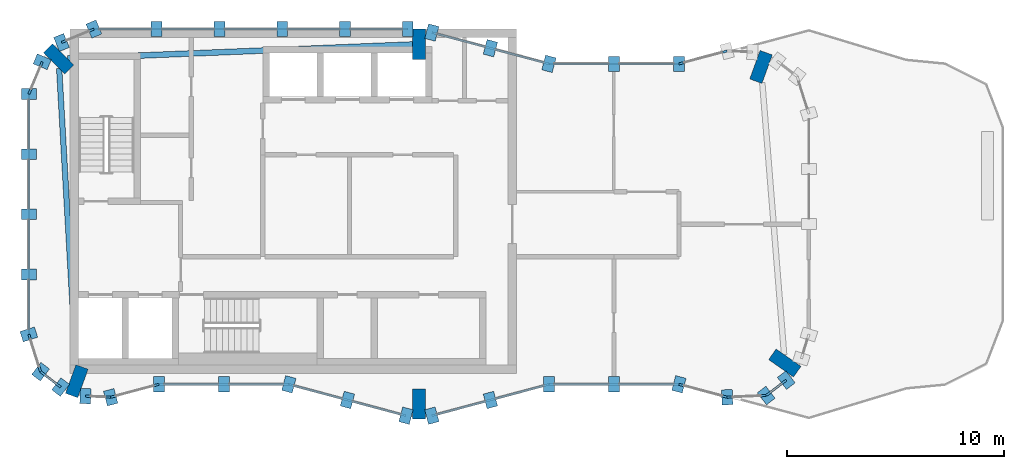
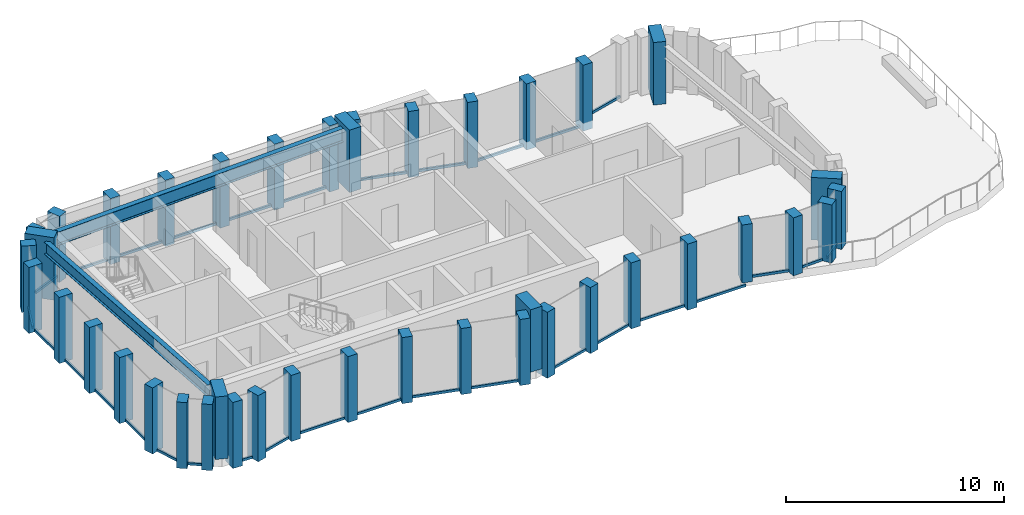
# One storey, part 1 of 5: 53 members, 6 columns, 2 beams, 18 elements without a shape of their own.
"""IFC4 building model written with IfcOpenShell, lengths in metres."""

from ifc_helpers import new_model, si_unit, direction, frame, origin, origin_2d, place, context, subcontext, project, spatial, rectangle, i_section, extrude, material, layer, layer_set, material_profile, profile_set, type_object, element, aggregate, save


model = new_model("IFC4")

# Units and contexts
model_context = context("Model", 3, precision=1e-05, world=origin(), true_north=direction((0.0, 1.0)))
body_context = subcontext(model_context, "Body", "Model", "MODEL_VIEW")
ifc_project = project(units=[si_unit("LENGTHUNIT", "METRE"), si_unit("AREAUNIT", "SQUARE_METRE"), si_unit("VOLUMEUNIT", "CUBIC_METRE"), si_unit("PLANEANGLEUNIT", "RADIAN"), si_unit("MASSUNIT", "GRAM", prefix="KILO")], contexts=[model_context])

# Site, building, storey
site_placement = place(None, origin())
site = spatial("IfcSite", under=ifc_project, at=site_placement, CompositionType="ELEMENT")
building_placement = place(site_placement, origin())
building = spatial("IfcBuilding", under=site, at=building_placement, Name="Plateau Cross Towers", CompositionType="ELEMENT")
storey_placement = place(building_placement, frame((0.0, 0.0, 294.89990234375)))
storey = spatial("IfcBuildingStorey", under=building, at=storey_placement, Name="L78 Crown 2", CompositionType="ELEMENT", Elevation=294.89990234375)

# Columns
ifc_material_1 = material(Name="Concrete C60/75", Category="concrete")
ifc_material_profile_1 = material_profile(ifc_material_1, rectangle(XDim=0.60009765625, YDim=1.39990234375, at=origin_2d()), Name="RC 600x1400")
ifc_profile_set_1 = profile_set([ifc_material_profile_1], Name="Concrete C60/75")
column_type = type_object("IfcColumnType", Name="Fin pier column RC 600x1400", PredefinedType="COLUMN", material=ifc_profile_set_1)
for number, where, z_axis, x_axis, name in (
    (1, (18.0, 0.699951171875, 0.0), (0.0, 0.0, 1.0), (1.0, 0.0, 0.0), "PR1 L78 Crown 2"),
    (2, (34.884033203125, 2.590087890625, 0.0), (0.0, 0.0, 1.0), (0.573542637991, 0.819175709117, 0.0), "PR17 L78 Crown 2"),
    (3, (33.786865234375, 16.251953125, 0.0), (0.0, 0.0, 1.0), (-0.939664280925, 0.342097996418, 0.0), "PR18 L78 Crown 2"),
    (4, (18.0, 17.300048828125, 0.0), (0.0, 0.0, 1.0), (1.0, 0.0, 0.0), "PR13 L78 Crown 2"),
    (5, (1.37353515625, 16.62646484375, 0.0), (0.0, 0.0, 1.0), (0.707106781187, 0.707106781187, 0.0), "PR14 L78 Crown 2"),
    (6, (2.213134765625, 1.748046875, 0.0), (0.0, 0.0, 1.0), (-0.939664280925, 0.342097996418, 0.0), "PR12 L78 Crown 2"),
):
    element("IfcColumn", number, at=place(storey_placement, frame(where, z_axis=z_axis, x_axis=x_axis)), inside=storey, type_object=column_type, Name=name, PredefinedType="COLUMN", context=body_context, shape_type="SweptSolid", body=[
        extrude(rectangle(XDim=0.60009765625, YDim=1.39990234375, at=origin_2d()), origin(), (0.0, 0.0, 1.0), 3.5),
    ])

# Beams
ifc_material_2 = material(Name="Steel S355", Category="steel")
ifc_material_profile_2 = material_profile(ifc_material_2, i_section(OverallWidth=0.2529296875, OverallDepth=0.677978515625, WebThickness=0.01171875, FlangeThickness=0.01611328125, FilletRadius=0.01513671875, at=origin_2d()), Name="UB 686x254x125")
ifc_profile_set_2 = profile_set([ifc_material_profile_2], Name="Steel S355")
beam_type_1 = type_object("IfcBeamType", Name="Crown ring beam UB 686x254x125", PredefinedType="BEAM", material=ifc_profile_set_2)
beam_1_placement = place(storey_placement, frame((1.39892578125, 16.1767578125, 2.9111328125), z_axis=(0.056348976318, -0.998411134187, 0.0), x_axis=(0.998411134187, 0.056348976318, 0.0)))
element("IfcBeam", 7, at=beam_1_placement, inside=storey, type_object=beam_type_1, Name="CRB-L78 Crown 2-05", PredefinedType="BEAM", context=body_context, shape_type="SweptSolid", body=[
    extrude(i_section(OverallWidth=0.2529296875, OverallDepth=0.677978515625, WebThickness=0.01171875, FlangeThickness=0.01611328125, FilletRadius=0.01513671875, at=origin_2d()), origin(), (0.0, 0.0, 1.0), 13.691162109375),
])
ifc_material_profile_3 = material_profile(ifc_material_2, i_section(OverallWidth=0.26513671875, OverallDepth=0.75390625, WebThickness=0.0126953125, FlangeThickness=0.017578125, FilletRadius=0.0166015625, at=origin_2d()), Name="UB 762x267x147")
ifc_profile_set_3 = profile_set([ifc_material_profile_3], Name="Steel S355")
beam_type_2 = type_object("IfcBeamType", Name="Crown ring beam UB 762x267x147", PredefinedType="BEAM", material=ifc_profile_set_3)
beam_2_placement = place(storey_placement, frame((17.699951171875, 17.287841796875, 2.873046875), z_axis=(-0.999180065047, -0.040487005488, 0.0), x_axis=(0.040487005488, -0.999180065047, 0.0)))
element("IfcBeam", 8, at=beam_2_placement, inside=storey, type_object=beam_type_2, Name="CRB-L78 Crown 2-04", PredefinedType="BEAM", context=body_context, shape_type="SweptSolid", body=[
    extrude(i_section(OverallWidth=0.26513671875, OverallDepth=0.75390625, WebThickness=0.0126953125, FlangeThickness=0.017578125, FilletRadius=0.0166015625, at=origin_2d()), origin(), (0.0, 0.0, 1.0), 15.931640625),
])

# Curtain wall, member
ifc_material_3 = material(Name="Dark low-iron glass", Category="glass")
ifc_layer = layer(ifc_material_3, 0.800048828125)
ifc_layer_set = layer_set([ifc_layer], Name="Dark low-iron glass")
curtain_wall_type = type_object("IfcCurtainWallType", Name="Curtain wall sky lounge CW-D", PredefinedType="NOTDEFINED", material=ifc_layer_set)
curtain_wall_1_placement = place(storey_placement, origin())
curtain_wall_1 = element("IfcCurtainWall", 9, at=curtain_wall_1_placement, inside=storey, type_object=curtain_wall_type, Name="ENV/A/L78 Crown 2/A38_10", PredefinedType="NOTDEFINED")
ifc_material_4 = material(Name="Black anodised aluminium", Category="aluminium")
ifc_material_profile_4 = material_profile(ifc_material_4, rectangle(XDim=0.5, YDim=0.699951171875, at=origin_2d()), Name="MULLION 500x700")
ifc_profile_set_4 = profile_set([ifc_material_profile_4], Name="Black anodised aluminium")
member_type_1 = type_object("IfcMemberType", Name="Mullion 500x700 sky lounge", PredefinedType="MULLION", material=ifc_profile_set_4)
member_1_placement = place(storey_placement, frame((3.776123046875, 1.01123046875, -0.449951171875), z_axis=(0.0, 0.0, 1.0), x_axis=(0.965957962328, 0.258699081978, 0.0)))
member_1 = element("IfcMember", 10, at=member_1_placement, type_object=member_type_1, Name="CW-D mullion 1", PredefinedType="MULLION", context=body_context, shape_type="SweptSolid", body=[
    extrude(rectangle(XDim=0.5, YDim=0.699951171875, at=origin_2d()), origin(), (0.0, 0.0, 1.0), 3.699951171875),
])

# Curtain wall, members
curtain_wall_2_placement = place(storey_placement, origin())
curtain_wall_2 = element("IfcCurtainWall", 11, at=curtain_wall_2_placement, inside=storey, type_object=curtain_wall_type, Name="ENV/A/L78 Crown 2/A60_16", PredefinedType="NOTDEFINED")
member_2_placement = place(storey_placement, frame((6.0, 1.60693359375, -0.449951171875), z_axis=(0.0, 0.0, 1.0), x_axis=(1.0, 0.0, 0.0)))
member_2 = element("IfcMember", 12, at=member_2_placement, type_object=member_type_1, Name="CW-D mullion 1", PredefinedType="MULLION", context=body_context, shape_type="SweptSolid", body=[
    extrude(rectangle(XDim=0.5, YDim=0.699951171875, at=origin_2d()), origin(), (0.0, 0.0, 1.0), 3.699951171875),
])
member_3_placement = place(storey_placement, frame((9.0, 1.60693359375, -0.449951171875), z_axis=(0.0, 0.0, 1.0), x_axis=(1.0, 0.0, 0.0)))
member_3 = element("IfcMember", 13, at=member_3_placement, type_object=member_type_1, Name="CW-D mullion 2", PredefinedType="MULLION", context=body_context, shape_type="SweptSolid", body=[
    extrude(rectangle(XDim=0.5, YDim=0.699951171875, at=origin_2d()), origin(), (0.0, 0.0, 1.0), 3.699951171875),
])

curtain_wall_3_placement = place(storey_placement, origin())
curtain_wall_3 = element("IfcCurtainWall", 14, at=curtain_wall_3_placement, inside=storey, type_object=curtain_wall_type, Name="ENV/A/L78 Crown 2/A120_16", PredefinedType="NOTDEFINED")
member_4_placement = place(storey_placement, frame((12.0, 1.60693359375, -0.449951171875), z_axis=(0.0, 0.0, 1.0), x_axis=(0.965957983404, -0.258699003279, 0.0)))
member_4 = element("IfcMember", 15, at=member_4_placement, type_object=member_type_1, Name="CW-D mullion 1", PredefinedType="MULLION", context=body_context, shape_type="SweptSolid", body=[
    extrude(rectangle(XDim=0.5, YDim=0.699951171875, at=origin_2d()), origin(), (0.0, 0.0, 1.0), 3.699951171875),
])
member_5_placement = place(storey_placement, frame((14.70166015625, 0.88330078125, -0.449951171875), z_axis=(0.0, 0.0, 1.0), x_axis=(0.965957983404, -0.258699003279, 0.0)))
member_5 = element("IfcMember", 16, at=member_5_placement, type_object=member_type_1, Name="CW-D mullion 2", PredefinedType="MULLION", context=body_context, shape_type="SweptSolid", body=[
    extrude(rectangle(XDim=0.5, YDim=0.699951171875, at=origin_2d()), origin(), (0.0, 0.0, 1.0), 3.699951171875),
])
member_6_placement = place(storey_placement, frame((17.403076171875, 0.159912109375, -0.449951171875), z_axis=(0.0, 0.0, 1.0), x_axis=(0.965957983404, -0.258699003279, 0.0)))
member_6 = element("IfcMember", 17, at=member_6_placement, type_object=member_type_1, Name="CW-D mullion 3", PredefinedType="MULLION", context=body_context, shape_type="SweptSolid", body=[
    extrude(rectangle(XDim=0.5, YDim=0.699951171875, at=origin_2d()), origin(), (0.0, 0.0, 1.0), 3.699951171875),
])

curtain_wall_4_placement = place(storey_placement, origin())
curtain_wall_4 = element("IfcCurtainWall", 18, at=curtain_wall_4_placement, inside=storey, type_object=curtain_wall_type, Name="ENV/A/L78 Crown 2/A186_2", PredefinedType="NOTDEFINED")
member_7_placement = place(storey_placement, frame((18.596923828125, 0.159912109375, -0.449951171875), z_axis=(0.0, 0.0, 1.0), x_axis=(0.965957983404, 0.258699003279, 0.0)))
member_7 = element("IfcMember", 19, at=member_7_placement, type_object=member_type_1, Name="CW-D mullion 1", PredefinedType="MULLION", context=body_context, shape_type="SweptSolid", body=[
    extrude(rectangle(XDim=0.5, YDim=0.699951171875, at=origin_2d()), origin(), (0.0, 0.0, 1.0), 3.699951171875),
])
member_8_placement = place(storey_placement, frame((21.29833984375, 0.88330078125, -0.449951171875), z_axis=(0.0, 0.0, 1.0), x_axis=(0.965957983404, 0.258699003279, 0.0)))
member_8 = element("IfcMember", 20, at=member_8_placement, type_object=member_type_1, Name="CW-D mullion 2", PredefinedType="MULLION", context=body_context, shape_type="SweptSolid", body=[
    extrude(rectangle(XDim=0.5, YDim=0.699951171875, at=origin_2d()), origin(), (0.0, 0.0, 1.0), 3.699951171875),
])

curtain_wall_5_placement = place(storey_placement, origin())
curtain_wall_5 = element("IfcCurtainWall", 21, at=curtain_wall_5_placement, inside=storey, type_object=curtain_wall_type, Name="ENV/A/L78 Crown 2/A240_16", PredefinedType="NOTDEFINED")
member_9_placement = place(storey_placement, frame((24.0, 1.60693359375, -0.449951171875), z_axis=(0.0, 0.0, 1.0), x_axis=(1.0, 0.0, 0.0)))
member_9 = element("IfcMember", 22, at=member_9_placement, type_object=member_type_1, Name="CW-D mullion 1", PredefinedType="MULLION", context=body_context, shape_type="SweptSolid", body=[
    extrude(rectangle(XDim=0.5, YDim=0.699951171875, at=origin_2d()), origin(), (0.0, 0.0, 1.0), 3.699951171875),
])
member_10_placement = place(storey_placement, frame((27.0, 1.60693359375, -0.449951171875), z_axis=(0.0, 0.0, 1.0), x_axis=(1.0, 0.0, 0.0)))
member_10 = element("IfcMember", 23, at=member_10_placement, type_object=member_type_1, Name="CW-D mullion 2", PredefinedType="MULLION", context=body_context, shape_type="SweptSolid", body=[
    extrude(rectangle(XDim=0.5, YDim=0.699951171875, at=origin_2d()), origin(), (0.0, 0.0, 1.0), 3.699951171875),
])

# Curtain wall, member
curtain_wall_6_placement = place(storey_placement, origin())
curtain_wall_6 = element("IfcCurtainWall", 24, at=curtain_wall_6_placement, inside=storey, type_object=curtain_wall_type, Name="ENV/A/L78 Crown 2/A300_16", PredefinedType="NOTDEFINED")
member_11_placement = place(storey_placement, frame((30.0, 1.60693359375, 0.0), z_axis=(0.0, 0.0, 1.0), x_axis=(0.965957962328, -0.258699081978, 0.0)))
member_11 = element("IfcMember", 25, at=member_11_placement, type_object=member_type_1, Name="CW-D mullion 1", PredefinedType="MULLION", context=body_context, shape_type="SweptSolid", body=[
    extrude(rectangle(XDim=0.5, YDim=0.699951171875, at=origin_2d()), origin(), (0.0, 0.0, 1.0), 3.25),
])

curtain_wall_7_placement = place(storey_placement, origin())
curtain_wall_7 = element("IfcCurtainWall", 26, at=curtain_wall_7_placement, inside=storey, type_object=curtain_wall_type, Name="ENV/A/L78 Crown 2/A322_10", PredefinedType="NOTDEFINED")
member_12_placement = place(storey_placement, frame((32.223876953125, 1.01123046875, 0.0), z_axis=(0.0, 0.0, 1.0), x_axis=(0.999043701491, 0.043722791671, 0.0)))
member_12 = element("IfcMember", 27, at=member_12_placement, type_object=member_type_1, Name="CW-D mullion 1", PredefinedType="MULLION", context=body_context, shape_type="SweptSolid", body=[
    extrude(rectangle(XDim=0.5, YDim=0.699951171875, at=origin_2d()), origin(), (0.0, 0.0, 1.0), 3.25),
])

# Curtain wall, members
curtain_wall_8_placement = place(storey_placement, origin())
curtain_wall_8 = element("IfcCurtainWall", 28, at=curtain_wall_8_placement, inside=storey, type_object=curtain_wall_type, Name="ENV/A/L78 Crown 2/A340_11", PredefinedType="NOTDEFINED")
member_13_placement = place(storey_placement, frame((34.0263671875, 1.090087890625, 0.0), z_axis=(0.0, 0.0, 1.0), x_axis=(0.793315514529, 0.608810721331, 0.0)))
member_13 = element("IfcMember", 29, at=member_13_placement, type_object=member_type_1, Name="CW-D mullion 1", PredefinedType="MULLION", context=body_context, shape_type="SweptSolid", body=[
    extrude(rectangle(XDim=0.5, YDim=0.699951171875, at=origin_2d()), origin(), (0.0, 0.0, 1.0), 3.25),
])
member_14_placement = place(storey_placement, frame((34.951416015625, 1.800048828125, 0.0), z_axis=(0.0, 0.0, 1.0), x_axis=(0.793315514529, 0.608810721331, 0.0)))
member_14 = element("IfcMember", 30, at=member_14_placement, type_object=member_type_1, Name="CW-D mullion 2", PredefinedType="MULLION", context=body_context, shape_type="SweptSolid", body=[
    extrude(rectangle(XDim=0.5, YDim=0.699951171875, at=origin_2d()), origin(), (0.0, 0.0, 1.0), 3.25),
])

curtain_wall_9_placement = place(storey_placement, origin())
curtain_wall_9 = element("IfcCurtainWall", 31, at=curtain_wall_9_placement, inside=storey, type_object=curtain_wall_type, Name="ENV/A/L78 Crown 2/A300_164", PredefinedType="NOTDEFINED")
member_15_placement = place(storey_placement, frame((30.0, 16.39306640625, -0.449951171875), z_axis=(0.0, 0.0, 1.0), x_axis=(-1.0, 0.0, 0.0)))
member_15 = element("IfcMember", 32, at=member_15_placement, type_object=member_type_1, Name="CW-D mullion 1", PredefinedType="MULLION", context=body_context, shape_type="SweptSolid", body=[
    extrude(rectangle(XDim=0.5, YDim=0.699951171875, at=origin_2d()), origin(), (0.0, 0.0, 1.0), 3.699951171875),
])
member_16_placement = place(storey_placement, frame((27.0, 16.39306640625, -0.449951171875), z_axis=(0.0, 0.0, 1.0), x_axis=(-1.0, 0.0, 0.0)))
member_16 = element("IfcMember", 33, at=member_16_placement, type_object=member_type_1, Name="CW-D mullion 2", PredefinedType="MULLION", context=body_context, shape_type="SweptSolid", body=[
    extrude(rectangle(XDim=0.5, YDim=0.699951171875, at=origin_2d()), origin(), (0.0, 0.0, 1.0), 3.699951171875),
])

curtain_wall_10_placement = place(storey_placement, origin())
curtain_wall_10 = element("IfcCurtainWall", 34, at=curtain_wall_10_placement, inside=storey, type_object=curtain_wall_type, Name="ENV/A/L78 Crown 2/A240_164", PredefinedType="NOTDEFINED")
member_17_placement = place(storey_placement, frame((24.0, 16.39306640625, -0.449951171875), z_axis=(0.0, 0.0, 1.0), x_axis=(-0.965957983404, 0.258699003279, 0.0)))
member_17 = element("IfcMember", 35, at=member_17_placement, type_object=member_type_1, Name="CW-D mullion 1", PredefinedType="MULLION", context=body_context, shape_type="SweptSolid", body=[
    extrude(rectangle(XDim=0.5, YDim=0.699951171875, at=origin_2d()), origin(), (0.0, 0.0, 1.0), 3.699951171875),
])
member_18_placement = place(storey_placement, frame((21.29833984375, 17.11669921875, -0.449951171875), z_axis=(0.0, 0.0, 1.0), x_axis=(-0.965957983404, 0.258699003279, 0.0)))
member_18 = element("IfcMember", 36, at=member_18_placement, type_object=member_type_1, Name="CW-D mullion 2", PredefinedType="MULLION", context=body_context, shape_type="SweptSolid", body=[
    extrude(rectangle(XDim=0.5, YDim=0.699951171875, at=origin_2d()), origin(), (0.0, 0.0, 1.0), 3.699951171875),
])
member_19_placement = place(storey_placement, frame((18.596923828125, 17.840087890625, -0.449951171875), z_axis=(0.0, 0.0, 1.0), x_axis=(-0.965957983404, 0.258699003279, 0.0)))
member_19 = element("IfcMember", 37, at=member_19_placement, type_object=member_type_1, Name="CW-D mullion 3", PredefinedType="MULLION", context=body_context, shape_type="SweptSolid", body=[
    extrude(rectangle(XDim=0.5, YDim=0.699951171875, at=origin_2d()), origin(), (0.0, 0.0, 1.0), 3.699951171875),
])

curtain_wall_11_placement = place(storey_placement, origin())
curtain_wall_11 = element("IfcCurtainWall", 38, at=curtain_wall_11_placement, inside=storey, type_object=curtain_wall_type, Name="ENV/A/L78 Crown 2/A175_180", PredefinedType="NOTDEFINED")
member_20_placement = place(storey_placement, frame((17.485107421875, 18.0, -0.449951171875), z_axis=(0.0, 0.0, 1.0), x_axis=(-1.0, 0.0, 0.0)))
member_20 = element("IfcMember", 39, at=member_20_placement, type_object=member_type_1, Name="CW-D mullion 1", PredefinedType="MULLION", context=body_context, shape_type="SweptSolid", body=[
    extrude(rectangle(XDim=0.5, YDim=0.699951171875, at=origin_2d()), origin(), (0.0, 0.0, 1.0), 3.699951171875),
])
member_21_placement = place(storey_placement, frame((14.587890625, 18.0, -0.449951171875), z_axis=(0.0, 0.0, 1.0), x_axis=(-1.0, 0.0, 0.0)))
member_21 = element("IfcMember", 40, at=member_21_placement, type_object=member_type_1, Name="CW-D mullion 2", PredefinedType="MULLION", context=body_context, shape_type="SweptSolid", body=[
    extrude(rectangle(XDim=0.5, YDim=0.699951171875, at=origin_2d()), origin(), (0.0, 0.0, 1.0), 3.699951171875),
])
member_22_placement = place(storey_placement, frame((11.69091796875, 18.0, -0.449951171875), z_axis=(0.0, 0.0, 1.0), x_axis=(-1.0, 0.0, 0.0)))
member_22 = element("IfcMember", 41, at=member_22_placement, type_object=member_type_1, Name="CW-D mullion 3", PredefinedType="MULLION", context=body_context, shape_type="SweptSolid", body=[
    extrude(rectangle(XDim=0.5, YDim=0.699951171875, at=origin_2d()), origin(), (0.0, 0.0, 1.0), 3.699951171875),
])
member_23_placement = place(storey_placement, frame((8.7939453125, 18.0, -0.449951171875), z_axis=(0.0, 0.0, 1.0), x_axis=(-1.0, 0.0, 0.0)))
member_23 = element("IfcMember", 42, at=member_23_placement, type_object=member_type_1, Name="CW-D mullion 4", PredefinedType="MULLION", context=body_context, shape_type="SweptSolid", body=[
    extrude(rectangle(XDim=0.5, YDim=0.699951171875, at=origin_2d()), origin(), (0.0, 0.0, 1.0), 3.699951171875),
])
member_24_placement = place(storey_placement, frame((5.89697265625, 18.0, -0.449951171875), z_axis=(0.0, 0.0, 1.0), x_axis=(-1.0, 0.0, 0.0)))
member_24 = element("IfcMember", 43, at=member_24_placement, type_object=member_type_1, Name="CW-D mullion 5", PredefinedType="MULLION", context=body_context, shape_type="SweptSolid", body=[
    extrude(rectangle(XDim=0.5, YDim=0.699951171875, at=origin_2d()), origin(), (0.0, 0.0, 1.0), 3.699951171875),
])

curtain_wall_12_placement = place(storey_placement, origin())
curtain_wall_12 = element("IfcCurtainWall", 44, at=curtain_wall_12_placement, inside=storey, type_object=curtain_wall_type, Name="ENV/A/L78 Crown 2/A30_180", PredefinedType="NOTDEFINED")
member_25_placement = place(storey_placement, frame((3.0, 18.0, -0.449951171875), z_axis=(0.0, 0.0, 1.0), x_axis=(-0.923879457699, -0.382683612978, 0.0)))
member_25 = element("IfcMember", 45, at=member_25_placement, type_object=member_type_1, Name="CW-D mullion 1", PredefinedType="MULLION", context=body_context, shape_type="SweptSolid", body=[
    extrude(rectangle(XDim=0.5, YDim=0.699951171875, at=origin_2d()), origin(), (0.0, 0.0, 1.0), 3.699951171875),
])
member_26_placement = place(storey_placement, frame((1.50830078125, 17.382080078125, -0.449951171875), z_axis=(0.0, 0.0, 1.0), x_axis=(-0.923879457699, -0.382683612978, 0.0)))
member_26 = element("IfcMember", 46, at=member_26_placement, type_object=member_type_1, Name="CW-D mullion 2", PredefinedType="MULLION", context=body_context, shape_type="SweptSolid", body=[
    extrude(rectangle(XDim=0.5, YDim=0.699951171875, at=origin_2d()), origin(), (0.0, 0.0, 1.0), 3.699951171875),
])

# Curtain wall, member
curtain_wall_13_placement = place(storey_placement, origin())
curtain_wall_13 = element("IfcCurtainWall", 47, at=curtain_wall_13_placement, inside=storey, type_object=curtain_wall_type, Name="ENV/A/L78 Crown 2/A6_165", PredefinedType="NOTDEFINED")
member_27_placement = place(storey_placement, frame((0.617919921875, 16.49169921875, -0.449951171875), z_axis=(0.0, 0.0, 1.0), x_axis=(-0.382683612978, -0.923879457699, 0.0)))
member_27 = element("IfcMember", 48, at=member_27_placement, type_object=member_type_1, Name="CW-D mullion 1", PredefinedType="MULLION", context=body_context, shape_type="SweptSolid", body=[
    extrude(rectangle(XDim=0.5, YDim=0.699951171875, at=origin_2d()), origin(), (0.0, 0.0, 1.0), 3.699951171875),
])

# Curtain wall, members
curtain_wall_14_placement = place(storey_placement, origin())
curtain_wall_14 = element("IfcCurtainWall", 49, at=curtain_wall_14_placement, inside=storey, type_object=curtain_wall_type, Name="ENV/A/L78 Crown 2/A0_150", PredefinedType="NOTDEFINED")
member_28_placement = place(storey_placement, frame((0.0, 15.0, -0.449951171875), z_axis=(0.0, 0.0, 1.0), x_axis=(0.0, -1.0, 0.0)))
member_28 = element("IfcMember", 50, at=member_28_placement, type_object=member_type_1, Name="CW-D mullion 1", PredefinedType="MULLION", context=body_context, shape_type="SweptSolid", body=[
    extrude(rectangle(XDim=0.5, YDim=0.699951171875, at=origin_2d()), origin(), (0.0, 0.0, 1.0), 3.699951171875),
])
member_29_placement = place(storey_placement, frame((0.0, 12.227294921875, -0.449951171875), z_axis=(0.0, 0.0, 1.0), x_axis=(0.0, -1.0, 0.0)))
member_29 = element("IfcMember", 51, at=member_29_placement, type_object=member_type_1, Name="CW-D mullion 2", PredefinedType="MULLION", context=body_context, shape_type="SweptSolid", body=[
    extrude(rectangle(XDim=0.5, YDim=0.699951171875, at=origin_2d()), origin(), (0.0, 0.0, 1.0), 3.699951171875),
])
member_30_placement = place(storey_placement, frame((0.0, 9.45458984375, -0.449951171875), z_axis=(0.0, 0.0, 1.0), x_axis=(0.0, -1.0, 0.0)))
member_30 = element("IfcMember", 52, at=member_30_placement, type_object=member_type_1, Name="CW-D mullion 3", PredefinedType="MULLION", context=body_context, shape_type="SweptSolid", body=[
    extrude(rectangle(XDim=0.5, YDim=0.699951171875, at=origin_2d()), origin(), (0.0, 0.0, 1.0), 3.699951171875),
])
member_31_placement = place(storey_placement, frame((0.0, 6.681884765625, -0.449951171875), z_axis=(0.0, 0.0, 1.0), x_axis=(0.0, -1.0, 0.0)))
member_31 = element("IfcMember", 53, at=member_31_placement, type_object=member_type_1, Name="CW-D mullion 4", PredefinedType="MULLION", context=body_context, shape_type="SweptSolid", body=[
    extrude(rectangle(XDim=0.5, YDim=0.699951171875, at=origin_2d()), origin(), (0.0, 0.0, 1.0), 3.699951171875),
])

# Curtain wall, member
curtain_wall_15_placement = place(storey_placement, origin())
curtain_wall_15 = element("IfcCurtainWall", 54, at=curtain_wall_15_placement, inside=storey, type_object=curtain_wall_type, Name="ENV/A/L78 Crown 2/A0_39", PredefinedType="NOTDEFINED")
member_32_placement = place(storey_placement, frame((0.0, 3.9091796875, -0.449951171875), z_axis=(0.0, 0.0, 1.0), x_axis=(0.300686174994, -0.95372313811, 0.0)))
member_32 = element("IfcMember", 55, at=member_32_placement, type_object=member_type_1, Name="CW-D mullion 1", PredefinedType="MULLION", context=body_context, shape_type="SweptSolid", body=[
    extrude(rectangle(XDim=0.5, YDim=0.699951171875, at=origin_2d()), origin(), (0.0, 0.0, 1.0), 3.699951171875),
])

# Curtain wall, members
curtain_wall_16_placement = place(storey_placement, origin())
curtain_wall_16 = element("IfcCurtainWall", 56, at=curtain_wall_16_placement, inside=storey, type_object=curtain_wall_type, Name="ENV/A/L78 Crown 2/A5_22", PredefinedType="NOTDEFINED")
member_33_placement = place(storey_placement, frame((0.54248046875, 2.1884765625, -0.449951171875), z_axis=(0.0, 0.0, 1.0), x_axis=(0.793315514529, -0.608810721331, 0.0)))
member_33 = element("IfcMember", 57, at=member_33_placement, type_object=member_type_1, Name="CW-D mullion 1", PredefinedType="MULLION", context=body_context, shape_type="SweptSolid", body=[
    extrude(rectangle(XDim=0.5, YDim=0.699951171875, at=origin_2d()), origin(), (0.0, 0.0, 1.0), 3.699951171875),
])
member_34_placement = place(storey_placement, frame((1.467529296875, 1.478515625, -0.449951171875), z_axis=(0.0, 0.0, 1.0), x_axis=(0.793315514529, -0.608810721331, 0.0)))
member_34 = element("IfcMember", 58, at=member_34_placement, type_object=member_type_1, Name="CW-D mullion 2", PredefinedType="MULLION", context=body_context, shape_type="SweptSolid", body=[
    extrude(rectangle(XDim=0.5, YDim=0.699951171875, at=origin_2d()), origin(), (0.0, 0.0, 1.0), 3.699951171875),
])

# Curtain wall, member
curtain_wall_17_placement = place(storey_placement, origin())
curtain_wall_17 = element("IfcCurtainWall", 59, at=curtain_wall_17_placement, inside=storey, type_object=curtain_wall_type, Name="ENV/A/L78 Crown 2/A26_11", PredefinedType="NOTDEFINED")
member_35_placement = place(storey_placement, frame((2.611083984375, 1.062255859375, -0.449951171875), z_axis=(0.0, 0.0, 1.0), x_axis=(0.999043701491, -0.043722791671, 0.0)))
member_35 = element("IfcMember", 60, at=member_35_placement, type_object=member_type_1, Name="CW-D mullion 1", PredefinedType="MULLION", context=body_context, shape_type="SweptSolid", body=[
    extrude(rectangle(XDim=0.5, YDim=0.699951171875, at=origin_2d()), origin(), (0.0, 0.0, 1.0), 3.699951171875),
])

# Member
ifc_material_profile_5 = material_profile(ifc_material_4, rectangle(XDim=0.10009765625, YDim=0.139892578125, at=origin_2d()), Name="TRANSOM 100x140")
ifc_profile_set_5 = profile_set([ifc_material_profile_5], Name="Black anodised aluminium")
member_type_2 = type_object("IfcMemberType", Name="Transom 100x140 sky lounge", PredefinedType="USERDEFINED", material=ifc_profile_set_5)
member_36_placement = place(storey_placement, frame((3.776123046875, 1.01123046875, -0.3798828125), z_axis=(0.965945685136, 0.258744919501, 0.0), x_axis=(-0.258744919501, 0.965945685136, 0.0)))
member_36 = element("IfcMember", 61, at=member_36_placement, type_object=member_type_2, Name="CW-D transom", ObjectType="TRANSOM", PredefinedType="USERDEFINED", context=body_context, shape_type="SweptSolid", body=[
    extrude(rectangle(XDim=0.10009765625, YDim=0.139892578125, at=origin_2d()), origin(), (0.0, 0.0, 1.0), 2.30224609375),
])

aggregate(curtain_wall_1, [member_1, member_36])

member_37_placement = place(storey_placement, frame((6.0, 1.60693359375, -0.3798828125), z_axis=(1.0, 0.0, 0.0), x_axis=(0.0, 1.0, 0.0)))
member_37 = element("IfcMember", 62, at=member_37_placement, type_object=member_type_2, Name="CW-D transom", ObjectType="TRANSOM", PredefinedType="USERDEFINED", context=body_context, shape_type="SweptSolid", body=[
    extrude(rectangle(XDim=0.10009765625, YDim=0.139892578125, at=origin_2d()), origin(), (0.0, 0.0, 1.0), 6.0),
])

aggregate(curtain_wall_2, [member_2, member_3, member_37])

member_38_placement = place(storey_placement, frame((12.0, 1.60693359375, -0.3798828125), z_axis=(0.965958374924, -0.258697541375, 0.0), x_axis=(0.258697541375, 0.965958374924, 0.0)))
member_38 = element("IfcMember", 63, at=member_38_placement, type_object=member_type_2, Name="CW-D transom", ObjectType="TRANSOM", PredefinedType="USERDEFINED", context=body_context, shape_type="SweptSolid", body=[
    extrude(rectangle(XDim=0.10009765625, YDim=0.139892578125, at=origin_2d()), origin(), (0.0, 0.0, 1.0), 5.593505859375),
])

aggregate(curtain_wall_3, [member_4, member_5, member_6, member_38])

member_39_placement = place(storey_placement, frame((18.596923828125, 0.159912109375, -0.3798828125), z_axis=(0.965958374924, 0.258697541375, 0.0), x_axis=(-0.258697541375, 0.965958374924, 0.0)))
member_39 = element("IfcMember", 64, at=member_39_placement, type_object=member_type_2, Name="CW-D transom", ObjectType="TRANSOM", PredefinedType="USERDEFINED", context=body_context, shape_type="SweptSolid", body=[
    extrude(rectangle(XDim=0.10009765625, YDim=0.139892578125, at=origin_2d()), origin(), (0.0, 0.0, 1.0), 5.593505859375),
])

aggregate(curtain_wall_4, [member_7, member_8, member_39])

member_40_placement = place(storey_placement, frame((24.0, 1.60693359375, -0.3798828125), z_axis=(1.0, 0.0, 0.0), x_axis=(0.0, 1.0, 0.0)))
member_40 = element("IfcMember", 65, at=member_40_placement, type_object=member_type_2, Name="CW-D transom", ObjectType="TRANSOM", PredefinedType="USERDEFINED", context=body_context, shape_type="SweptSolid", body=[
    extrude(rectangle(XDim=0.10009765625, YDim=0.139892578125, at=origin_2d()), origin(), (0.0, 0.0, 1.0), 6.0),
])

aggregate(curtain_wall_5, [member_9, member_10, member_40])

member_41_placement = place(storey_placement, frame((30.0, 1.60693359375, 0.070068359375), z_axis=(0.965945685136, -0.258744919501, 0.0), x_axis=(0.258744919501, 0.965945685136, 0.0)))
member_41 = element("IfcMember", 66, at=member_41_placement, type_object=member_type_2, Name="CW-D transom", ObjectType="TRANSOM", PredefinedType="USERDEFINED", context=body_context, shape_type="SweptSolid", body=[
    extrude(rectangle(XDim=0.10009765625, YDim=0.139892578125, at=origin_2d()), origin(), (0.0, 0.0, 1.0), 2.30224609375),
])

aggregate(curtain_wall_6, [member_11, member_41])

member_42_placement = place(storey_placement, frame((32.223876953125, 1.01123046875, 0.070068359375), z_axis=(0.999044377355, 0.043707345779, 0.0), x_axis=(-0.043707345779, 0.999044377355, 0.0)))
member_42 = element("IfcMember", 67, at=member_42_placement, type_object=member_type_2, Name="CW-D transom", ObjectType="TRANSOM", PredefinedType="USERDEFINED", context=body_context, shape_type="SweptSolid", body=[
    extrude(rectangle(XDim=0.10009765625, YDim=0.139892578125, at=origin_2d()), origin(), (0.0, 0.0, 1.0), 1.80419921875),
])

aggregate(curtain_wall_7, [member_12, member_42])

member_43_placement = place(storey_placement, frame((34.0263671875, 1.090087890625, 0.070068359375), z_axis=(0.793292864311, 0.608840234736, 0.0), x_axis=(-0.608840234736, 0.793292864311, 0.0)))
member_43 = element("IfcMember", 68, at=member_43_placement, type_object=member_type_2, Name="CW-D transom", ObjectType="TRANSOM", PredefinedType="USERDEFINED", context=body_context, shape_type="SweptSolid", body=[
    extrude(rectangle(XDim=0.10009765625, YDim=0.139892578125, at=origin_2d()), origin(), (0.0, 0.0, 1.0), 1.166015625),
])

aggregate(curtain_wall_8, [member_13, member_14, member_43])

# Curtain wall, member
curtain_wall_18_placement = place(storey_placement, origin())
curtain_wall_18 = element("IfcCurtainWall", 69, at=curtain_wall_18_placement, inside=storey, type_object=curtain_wall_type, Name="ENV/A/L78 Crown 2/A322_170", PredefinedType="NOTDEFINED")
member_44_placement = place(storey_placement, frame((32.223876953125, 16.98876953125, 0.070068359375), z_axis=(-0.965945685136, -0.258744919501, 0.0), x_axis=(0.258744919501, -0.965945685136, 0.0)))
member_44 = element("IfcMember", 70, at=member_44_placement, type_object=member_type_2, Name="CW-D transom", ObjectType="TRANSOM", PredefinedType="USERDEFINED", context=body_context, shape_type="SweptSolid", body=[
    extrude(rectangle(XDim=0.10009765625, YDim=0.139892578125, at=origin_2d()), origin(), (0.0, 0.0, 1.0), 2.30224609375),
])
aggregate(curtain_wall_18, [member_44])

# Member
member_45_placement = place(storey_placement, frame((30.0, 16.39306640625, -0.3798828125), z_axis=(-1.0, 0.0, 0.0), x_axis=(0.0, -1.0, 0.0)))
member_45 = element("IfcMember", 71, at=member_45_placement, type_object=member_type_2, Name="CW-D transom", ObjectType="TRANSOM", PredefinedType="USERDEFINED", context=body_context, shape_type="SweptSolid", body=[
    extrude(rectangle(XDim=0.10009765625, YDim=0.139892578125, at=origin_2d()), origin(), (0.0, 0.0, 1.0), 6.0),
])

aggregate(curtain_wall_9, [member_15, member_16, member_45])

member_46_placement = place(storey_placement, frame((24.0, 16.39306640625, -0.3798828125), z_axis=(-0.965958374924, 0.258697541375, 0.0), x_axis=(-0.258697541375, -0.965958374924, 0.0)))
member_46 = element("IfcMember", 72, at=member_46_placement, type_object=member_type_2, Name="CW-D transom", ObjectType="TRANSOM", PredefinedType="USERDEFINED", context=body_context, shape_type="SweptSolid", body=[
    extrude(rectangle(XDim=0.10009765625, YDim=0.139892578125, at=origin_2d()), origin(), (0.0, 0.0, 1.0), 5.593505859375),
])

aggregate(curtain_wall_10, [member_17, member_18, member_19, member_46])

member_47_placement = place(storey_placement, frame((17.485107421875, 18.0, -0.3798828125), z_axis=(-1.0, 0.0, 0.0), x_axis=(0.0, -1.0, 0.0)))
member_47 = element("IfcMember", 73, at=member_47_placement, type_object=member_type_2, Name="CW-D transom", ObjectType="TRANSOM", PredefinedType="USERDEFINED", context=body_context, shape_type="SweptSolid", body=[
    extrude(rectangle(XDim=0.10009765625, YDim=0.139892578125, at=origin_2d()), origin(), (0.0, 0.0, 1.0), 14.485107421875),
])

aggregate(curtain_wall_11, [member_20, member_21, member_22, member_23, member_24, member_47])

member_48_placement = place(storey_placement, frame((3.0, 18.0, -0.3798828125), z_axis=(-0.923871238907, -0.382703454284, 0.0), x_axis=(0.382703454284, -0.923871238907, 0.0)))
member_48 = element("IfcMember", 74, at=member_48_placement, type_object=member_type_2, Name="CW-D transom", ObjectType="TRANSOM", PredefinedType="USERDEFINED", context=body_context, shape_type="SweptSolid", body=[
    extrude(rectangle(XDim=0.10009765625, YDim=0.139892578125, at=origin_2d()), origin(), (0.0, 0.0, 1.0), 1.614501953125),
])

aggregate(curtain_wall_12, [member_25, member_26, member_48])

member_49_placement = place(storey_placement, frame((0.617919921875, 16.49169921875, -0.3798828125), z_axis=(-0.382703454284, -0.923871238907, 0.0), x_axis=(0.923871238907, -0.382703454284, 0.0)))
member_49 = element("IfcMember", 75, at=member_49_placement, type_object=member_type_2, Name="CW-D transom", ObjectType="TRANSOM", PredefinedType="USERDEFINED", context=body_context, shape_type="SweptSolid", body=[
    extrude(rectangle(XDim=0.10009765625, YDim=0.139892578125, at=origin_2d()), origin(), (0.0, 0.0, 1.0), 1.614501953125),
])

aggregate(curtain_wall_13, [member_27, member_49])

member_50_placement = place(storey_placement, frame((0.0, 15.0, -0.3798828125), z_axis=(0.0, -1.0, 0.0), x_axis=(1.0, 0.0, 0.0)))
member_50 = element("IfcMember", 76, at=member_50_placement, type_object=member_type_2, Name="CW-D transom", ObjectType="TRANSOM", PredefinedType="USERDEFINED", context=body_context, shape_type="SweptSolid", body=[
    extrude(rectangle(XDim=0.10009765625, YDim=0.139892578125, at=origin_2d()), origin(), (0.0, 0.0, 1.0), 11.0908203125),
])

aggregate(curtain_wall_14, [member_28, member_29, member_30, member_31, member_50])

member_51_placement = place(storey_placement, frame((0.0, 3.9091796875, -0.3798828125), z_axis=(0.30067799945, -0.953725715626, 0.0), x_axis=(0.953725715626, 0.30067799945, 0.0)))
member_51 = element("IfcMember", 77, at=member_51_placement, type_object=member_type_2, Name="CW-D transom", ObjectType="TRANSOM", PredefinedType="USERDEFINED", context=body_context, shape_type="SweptSolid", body=[
    extrude(rectangle(XDim=0.10009765625, YDim=0.139892578125, at=origin_2d()), origin(), (0.0, 0.0, 1.0), 1.80419921875),
])

aggregate(curtain_wall_15, [member_32, member_51])

member_52_placement = place(storey_placement, frame((0.54248046875, 2.1884765625, -0.3798828125), z_axis=(0.793292864311, -0.608840234736, 0.0), x_axis=(0.608840234736, 0.793292864311, 0.0)))
member_52 = element("IfcMember", 78, at=member_52_placement, type_object=member_type_2, Name="CW-D transom", ObjectType="TRANSOM", PredefinedType="USERDEFINED", context=body_context, shape_type="SweptSolid", body=[
    extrude(rectangle(XDim=0.10009765625, YDim=0.139892578125, at=origin_2d()), origin(), (0.0, 0.0, 1.0), 1.166015625),
])

aggregate(curtain_wall_16, [member_33, member_34, member_52])

member_53_placement = place(storey_placement, frame((2.611083984375, 1.062255859375, -0.3798828125), z_axis=(0.999042282418, -0.043755204741, 0.0), x_axis=(0.043755204741, 0.999042282418, 0.0)))
member_53 = element("IfcMember", 79, at=member_53_placement, type_object=member_type_2, Name="CW-D transom", ObjectType="TRANSOM", PredefinedType="USERDEFINED", context=body_context, shape_type="SweptSolid", body=[
    extrude(rectangle(XDim=0.10009765625, YDim=0.139892578125, at=origin_2d()), origin(), (0.0, 0.0, 1.0), 1.166259765625),
])

aggregate(curtain_wall_17, [member_35, member_53])

save(model, "model.ifc")
